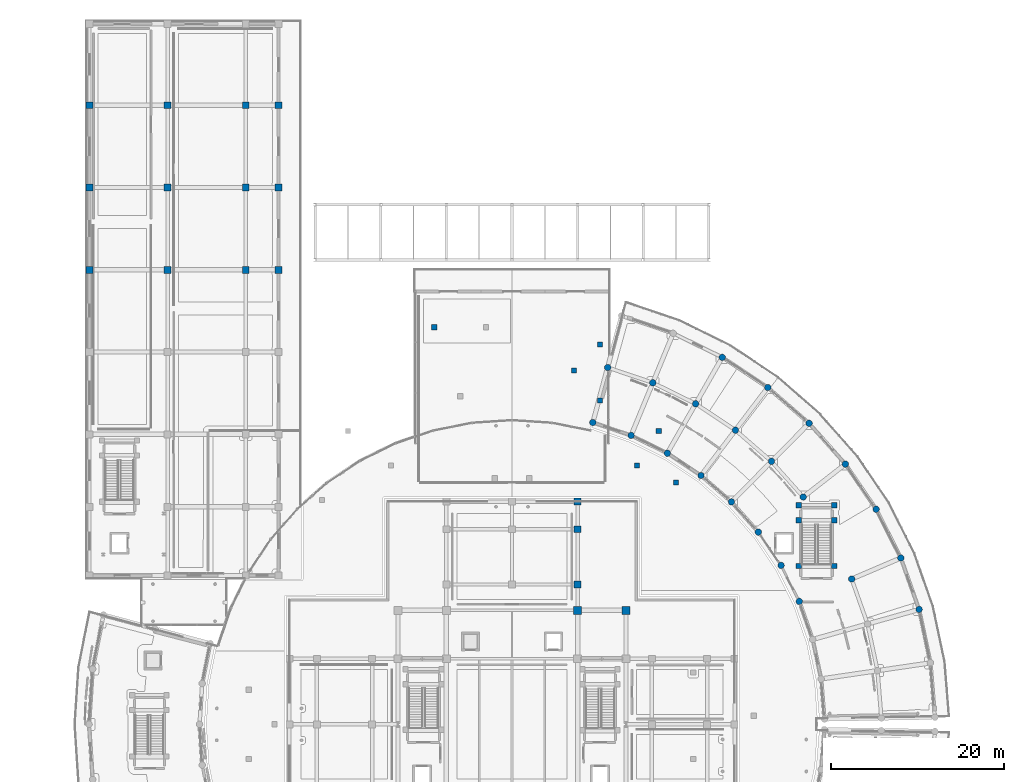
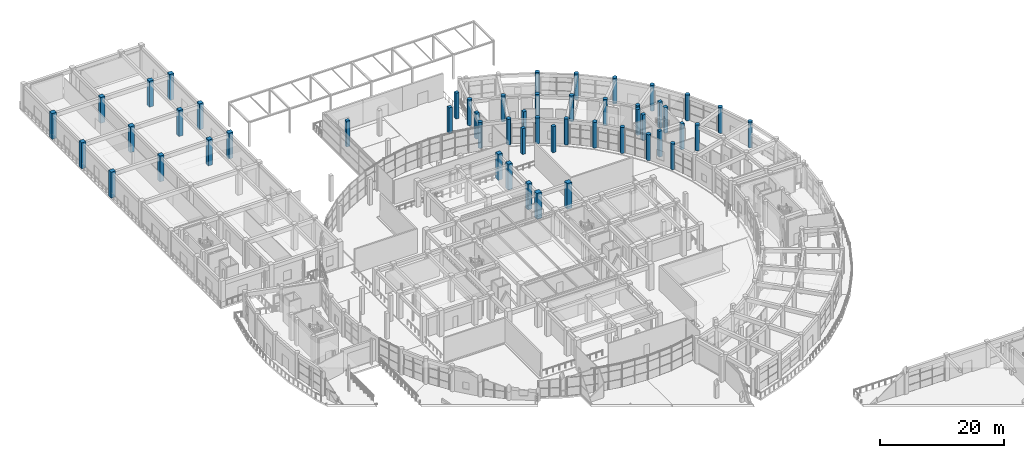
# One storey, part 15 of 99: 52 columns.
"""IFC4 building model written with IfcOpenShell, lengths in metres."""

from ifc_helpers import new_model, si_unit, direction, frame, origin, origin_2d, place, context, subcontext, project, spatial, rectangle, circle, extrude, material, material_profile, profile_set, type_object, element, save


model = new_model("IFC4")

# Units and contexts
model_context = context("Model", 3, precision=1e-05, world=origin(), true_north=direction((0.0, 1.0)))
body_context = subcontext(model_context, "Body", "Model", "MODEL_VIEW")
ifc_project = project(units=[si_unit("LENGTHUNIT", "METRE"), si_unit("AREAUNIT", "SQUARE_METRE"), si_unit("VOLUMEUNIT", "CUBIC_METRE"), si_unit("PLANEANGLEUNIT", "RADIAN"), si_unit("MASSUNIT", "GRAM", prefix="KILO")], contexts=[model_context])

# Site, building, storey
site_placement = place(None, origin())
site = spatial("IfcSite", under=ifc_project, at=site_placement, CompositionType="ELEMENT")
building_placement = place(site_placement, origin())
building = spatial("IfcBuilding", under=site, at=building_placement, Name="Saryqyr Civic Hall", CompositionType="ELEMENT")
storey_placement = place(building_placement, origin())
storey = spatial("IfcBuildingStorey", under=building, at=storey_placement, Name="L00", CompositionType="ELEMENT", Elevation=0.0)

# Columns
ifc_material = material(Name="Concrete C40/50", Category="concrete")
ifc_material_profile_1 = material_profile(ifc_material, rectangle(XDim=0.60009765625, YDim=0.60009765625, at=origin_2d()), Name="RC 600x600")
ifc_profile_set_1 = profile_set([ifc_material_profile_1], Name="Concrete C40/50")
column_type_1 = type_object("IfcColumnType", Name="STR-COL-RC600-C40", PredefinedType="COLUMN", material=ifc_profile_set_1)
for number, where, z_axis, x_axis, name in (
    (1, (94.340087890625, 102.3349609375, 0.0), (0.0, 0.0, 1.0), (1.0, 0.0, 0.0), "Column ST-6-SCOL-TRMA-L00"),
    (2, (90.219970703125, 102.3349609375, 0.0), (0.0, 0.0, 1.0), (1.0, 0.0, 0.0), "Column ST-6-SCOL-TRMB-L00"),
    (3, (94.340087890625, 107.64990234375, 0.0), (0.0, 0.0, 1.0), (1.0, 0.0, 0.0), "Column ST-6-SCOL-LND1A-L00"),
    (4, (90.219970703125, 107.64990234375, 0.0), (0.0, 0.0, 1.0), (1.0, 0.0, 0.0), "Column ST-6-SCOL-LND1B-L00"),
    (5, (94.340087890625, 109.3798828125, 0.0), (0.0, 0.0, 1.0), (1.0, 0.0, 0.0), "Column ST-6-SCOL-LND2A-L00"),
    (6, (90.219970703125, 109.3798828125, 0.0), (0.0, 0.0, 1.0), (1.0, 0.0, 0.0), "Column ST-6-SCOL-LND2B-L00"),
    (7, (48.0, 130.0, 0.0), (0.0, 0.0, 1.0), (1.0, 0.0, 0.0), "Column V2-XCOL-19-L00"),
    (8, (71.5, 114.0, 0.0), (0.0, 0.0, 1.0), (1.0, 0.0, 0.0), "Column V2-XCOL-22-L00"),
    (9, (76.0, 112.0, 0.0), (0.0, 0.0, 1.0), (1.0, 0.0, 0.0), "Column V2-XCOL-23-L00"),
    (10, (74.0, 118.0, 0.0), (0.0, 0.0, 1.0), (1.0, 0.0, 0.0), "Column V2-XCOL-24-L00"),
    (11, (67.199951171875, 128.0, 0.0), (0.0, 0.0, 1.0), (1.0, 0.0, 0.0), "Column V2-XCOL-28-L00"),
    (12, (67.199951171875, 121.5, 0.0), (0.0, 0.0, 1.0), (1.0, 0.0, 0.0), "Column V2-XCOL-29-L00"),
    (13, (64.199951171875, 125.0, 0.0), (0.0, 0.0, 1.0), (1.0, 0.0, 0.0), "Column V2-XCOL-30-L00"),
):
    element("IfcColumn", number, at=place(storey_placement, frame(where, z_axis=z_axis, x_axis=x_axis)), inside=storey, type_object=column_type_1, Name=name, PredefinedType="COLUMN", context=body_context, shape_type="SweptSolid", body=[
        extrude(rectangle(XDim=0.60009765625, YDim=0.60009765625, at=origin_2d()), origin(), (0.0, 0.0, 1.0), 5.10009765625),
    ])
ifc_material_profile_2 = material_profile(ifc_material, rectangle(XDim=0.800048828125, YDim=0.800048828125, at=origin_2d()), Name="RC 800x800")
ifc_profile_set_2 = profile_set([ifc_material_profile_2], Name="Concrete C40/50")
column_type_2 = type_object("IfcColumnType", Name="STR-COL-RC800-C40", PredefinedType="COLUMN", material=ifc_profile_set_2)
for number, where, z_axis, x_axis, name in (
    (14, (64.60009765625, 100.199951171875, 0.0), (0.0, 0.0, 1.0), (1.0, 0.0, 0.0), "Column V1-COL-S3P12-L00"),
    (15, (64.60009765625, 106.60009765625, 0.0), (0.0, 0.0, 1.0), (1.0, 0.0, 0.0), "Column V1-COL-S1P12-L00"),
    (16, (64.60009765625, 109.800048828125, 0.0), (0.0, 0.0, 1.0), (1.0, 0.0, 0.0), "Column V1-COL-S0P12-L00"),
    (17, (8.050048828125, 136.659912109375, 0.0), (0.0, 0.0, 1.0), (1.0, 0.0, 0.0), "Column V3-COL-15-L00"),
    (18, (8.050048828125, 146.18994140625, 0.0), (0.0, 0.0, 1.0), (1.0, 0.0, 0.0), "Column V3-COL-16-L00"),
    (19, (8.050048828125, 155.719970703125, 0.0), (0.0, 0.0, 1.0), (1.0, 0.0, 0.0), "Column V3-COL-17-L00"),
    (20, (17.10009765625, 136.659912109375, 0.0), (0.0, 0.0, 1.0), (1.0, 0.0, 0.0), "Column V3-COL-25-L00"),
    (21, (17.10009765625, 146.18994140625, 0.0), (0.0, 0.0, 1.0), (1.0, 0.0, 0.0), "Column V3-COL-26-L00"),
    (22, (17.10009765625, 155.719970703125, 0.0), (0.0, 0.0, 1.0), (1.0, 0.0, 0.0), "Column V3-COL-27-L00"),
    (23, (26.14990234375, 136.659912109375, 0.0), (0.0, 0.0, 1.0), (1.0, 0.0, 0.0), "Column V3-COL-35-L00"),
    (24, (26.14990234375, 146.18994140625, 0.0), (0.0, 0.0, 1.0), (1.0, 0.0, 0.0), "Column V3-COL-36-L00"),
    (25, (26.14990234375, 155.719970703125, 0.0), (0.0, 0.0, 1.0), (1.0, 0.0, 0.0), "Column V3-COL-37-L00"),
    (26, (29.949951171875, 136.659912109375, 0.0), (0.0, 0.0, 1.0), (1.0, 0.0, 0.0), "Column V3-COL-45-L00"),
    (27, (29.949951171875, 146.18994140625, 0.0), (0.0, 0.0, 1.0), (1.0, 0.0, 0.0), "Column V3-COL-46-L00"),
    (28, (29.949951171875, 155.719970703125, 0.0), (0.0, 0.0, 1.0), (1.0, 0.0, 0.0), "Column V3-COL-47-L00"),
):
    element("IfcColumn", number, at=place(storey_placement, frame(where, z_axis=z_axis, x_axis=x_axis)), inside=storey, type_object=column_type_2, Name=name, PredefinedType="COLUMN", context=body_context, shape_type="SweptSolid", body=[
        extrude(rectangle(XDim=0.800048828125, YDim=0.800048828125, at=origin_2d()), origin(), (0.0, 0.0, 1.0), 5.10009765625),
    ])
ifc_material_profile_3 = material_profile(ifc_material, rectangle(XDim=0.89990234375, YDim=0.89990234375, at=origin_2d()), Name="RC 900x900")
ifc_profile_set_3 = profile_set([ifc_material_profile_3], Name="Concrete C40/50")
column_type_3 = type_object("IfcColumnType", Name="STR-COL-RC900-C40", PredefinedType="COLUMN", material=ifc_profile_set_3)
for number, where, z_axis, x_axis, name in (
    (29, (64.60009765625, 97.199951171875, 0.0), (0.0, 0.0, 1.0), (1.0, 0.0, 0.0), "Column V1-COL-C34-L00"),
    (30, (70.199951171875, 97.199951171875, 0.0), (0.0, 0.0, 1.0), (1.0, 0.0, 0.0), "Column V1-COL-C44-L00"),
):
    element("IfcColumn", number, at=place(storey_placement, frame(where, z_axis=z_axis, x_axis=x_axis)), inside=storey, type_object=column_type_3, Name=name, PredefinedType="COLUMN", context=body_context, shape_type="SweptSolid", body=[
        extrude(rectangle(XDim=0.89990234375, YDim=0.89990234375, at=origin_2d()), origin(), (0.0, 0.0, 1.0), 5.10009765625),
    ])
ifc_material_profile_4 = material_profile(ifc_material, circle(Radius=0.375, at=origin_2d()), Name="RC D750")
ifc_profile_set_4 = profile_set([ifc_material_profile_4], Name="Concrete C40/50")
column_type_4 = type_object("IfcColumnType", Name="STR-COL-RCD750-EXT", PredefinedType="COLUMN", material=ifc_profile_set_4)
for number, where, z_axis, x_axis, name in (
    (31, (104.157958984375, 97.308837890625, 0.0), (0.0, 0.0, 1.0), (0.962407846499, 0.271608425858, 0.0), "Column V6-COL-OUT02-L00"),
    (32, (90.281494140625, 98.240478515625, 0.0), (0.0, 0.0, 1.0), (0.919410138581, 0.393300136124, 0.0), "Column V6-COL-IN03-L00"),
    (33, (102.04931640625, 103.275634765625, 0.0), (0.0, 0.0, 1.0), (0.919410138581, 0.393300136124, 0.0), "Column V6-COL-OUT03-L00"),
    (34, (88.16845703125, 102.410888671875, 0.0), (0.0, 0.0, 1.0), (0.861008442465, 0.508590662521, 0.0), "Column V6-COL-IN04-L00"),
    (35, (99.189453125, 108.9208984375, 0.0), (0.0, 0.0, 1.0), (0.861008442465, 0.508590662521, 0.0), "Column V6-COL-OUT04-L00"),
    (36, (85.53564453125, 106.2744140625, 0.0), (0.0, 0.0, 1.0), (0.78822561199, 0.615386370179, 0.0), "Column V6-COL-IN05-L00"),
    (37, (95.625732421875, 114.150634765625, 0.0), (0.0, 0.0, 1.0), (0.78822561199, 0.615386370179, 0.0), "Column V6-COL-OUT05-L00"),
    (38, (82.427001953125, 109.7666015625, 0.0), (0.0, 0.0, 1.0), (0.70240155419, 0.711780904964, 0.0), "Column V6-COL-IN06-L00"),
    (39, (91.417724609375, 118.877197265625, 0.0), (0.0, 0.0, 1.0), (0.70240155419, 0.711780904964, 0.0), "Column V6-COL-OUT06-L00"),
    (40, (78.89404296875, 112.82861328125, 0.0), (0.0, 0.0, 1.0), (0.60473812635, 0.796424383441, 0.0), "Column V6-COL-IN07-L00"),
    (41, (86.635498046875, 123.022216796875, 0.0), (0.0, 0.0, 1.0), (0.60473812635, 0.796424383441, 0.0), "Column V6-COL-OUT07-L00"),
    (42, (74.995849609375, 115.409912109375, 0.0), (0.0, 0.0, 1.0), (0.4971254071, 0.867678701833, 0.0), "Column V6-COL-IN08-L00"),
    (43, (81.359130859375, 126.516357421875, 0.0), (0.0, 0.0, 1.0), (0.4971254071, 0.867678701833, 0.0), "Column V6-COL-OUT08-L00"),
    (44, (70.797607421875, 117.46728515625, 0.0), (0.0, 0.0, 1.0), (0.381231734269, 0.924479510204, 0.0), "Column V6-COL-IN09-L00"),
    (45, (66.369140625, 118.966552734375, 0.0), (0.0, 0.0, 1.0), (0.258819045103, 0.965925826289, 0.0), "Column V6-COL-IN10-L00"),
):
    element("IfcColumn", number, at=place(storey_placement, frame(where, z_axis=z_axis, x_axis=x_axis)), inside=storey, type_object=column_type_4, Name=name, PredefinedType="COLUMN", context=body_context, shape_type="SweptSolid", body=[
        extrude(circle(Radius=0.375, at=origin_2d()), origin(), (0.0, 0.0, 1.0), 5.10009765625),
    ])
ifc_material_profile_5 = material_profile(ifc_material, circle(Radius=0.375, at=origin_2d()), Name="RC D750")
ifc_profile_set_5 = profile_set([ifc_material_profile_5], Name="Concrete C40/50")
column_type_5 = type_object("IfcColumnType", Name="STR-COL-RCD750-INT", PredefinedType="COLUMN", material=ifc_profile_set_5)
for number, where, z_axis, x_axis, name in (
    (46, (96.349365234375, 100.836669921875, 0.0), (0.0, 0.0, 1.0), (0.919410138581, 0.393300136124, 0.0), "Column V6-COL-MID03-L00"),
    (47, (90.73828125, 110.335693359375, 0.0), (0.0, 0.0, 1.0), (0.78822561199, 0.615386370179, 0.0), "Column V6-COL-MID05-L00"),
    (48, (87.062744140625, 114.464111328125, 0.0), (0.0, 0.0, 1.0), (0.70240155419, 0.711780904964, 0.0), "Column V6-COL-MID06-L00"),
    (49, (82.8857421875, 118.084716796875, 0.0), (0.0, 0.0, 1.0), (0.60473812635, 0.796424383441, 0.0), "Column V6-COL-MID07-L00"),
    (50, (78.277099609375, 121.13671875, 0.0), (0.0, 0.0, 1.0), (0.4971254071, 0.867678701833, 0.0), "Column V6-COL-MID08-L00"),
    (51, (73.313232421875, 123.569091796875, 0.0), (0.0, 0.0, 1.0), (0.381231734269, 0.924479510204, 0.0), "Column V6-COL-MID09-L00"),
    (52, (68.077392578125, 125.341552734375, 0.0), (0.0, 0.0, 1.0), (0.258819045103, 0.965925826289, 0.0), "Column V6-COL-MID10-L00"),
):
    element("IfcColumn", number, at=place(storey_placement, frame(where, z_axis=z_axis, x_axis=x_axis)), inside=storey, type_object=column_type_5, Name=name, PredefinedType="COLUMN", context=body_context, shape_type="SweptSolid", body=[
        extrude(circle(Radius=0.375, at=origin_2d()), origin(), (0.0, 0.0, 1.0), 5.10009765625),
    ])

save(model, "model.ifc")
